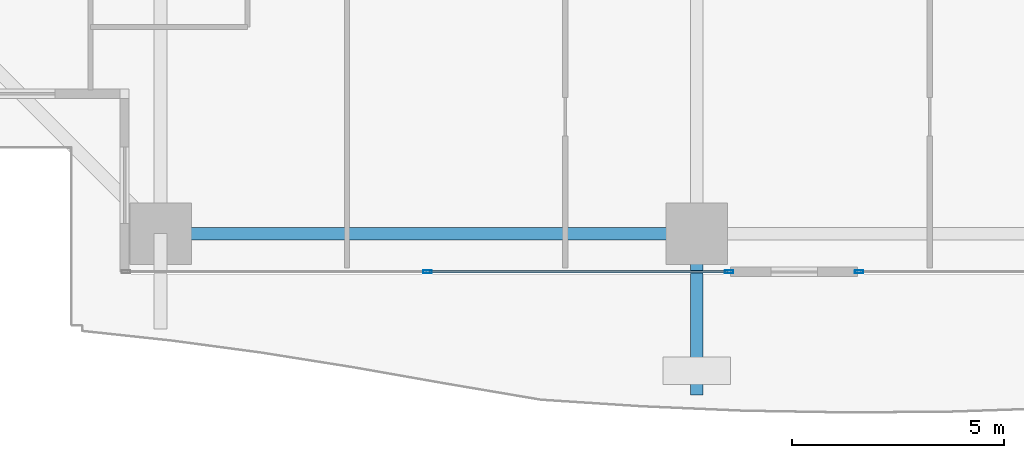
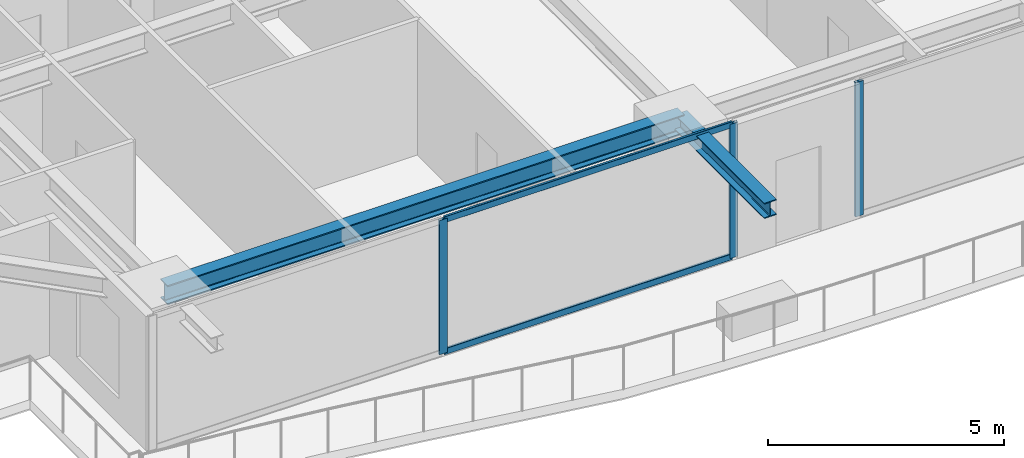
# One storey, part 5 of 40: 5 members, 2 beams, 2 elements without a shape of their own.
"""IFC4 building model written with IfcOpenShell, lengths in metres."""

from ifc_helpers import new_model, si_unit, direction, frame, origin, origin_2d, place, context, subcontext, project, spatial, hollow_rectangle, i_section, extrude, source, transform, mapped, material, layer, layer_set, material_profile, profile_set, type_object, element, aggregate, save


model = new_model("IFC4")

# Units and contexts
model_context = context("Model", 3, precision=1e-05, world=origin(), true_north=direction((0.0, 1.0)))
body_context = subcontext(model_context, "Body", "Model", "MODEL_VIEW")
ifc_project = project(units=[si_unit("LENGTHUNIT", "METRE"), si_unit("AREAUNIT", "SQUARE_METRE"), si_unit("VOLUMEUNIT", "CUBIC_METRE"), si_unit("PLANEANGLEUNIT", "RADIAN"), si_unit("MASSUNIT", "GRAM", prefix="KILO")], contexts=[model_context])

# Site, building, storey
site_placement = place(None, origin())
site = spatial("IfcSite", under=ifc_project, at=site_placement, CompositionType="ELEMENT")
building_placement = place(site_placement, origin())
building = spatial("IfcBuilding", under=site, at=building_placement, Name="Serunith Strait Residences", CompositionType="ELEMENT")
storey_placement = place(building_placement, frame((0.0, 0.0, 90.449951171875)))
storey = spatial("IfcBuildingStorey", under=building, at=storey_placement, Name="L22", CompositionType="ELEMENT", Elevation=90.449951171875)

# Beams
ifc_material_1 = material(Name="Steel S355J2", Category="steel")
ifc_material_profile_1 = material_profile(ifc_material_1, i_section(OverallWidth=0.300048828125, OverallDepth=0.5, WebThickness=0.014404296875, FlangeThickness=0.028076171875, FilletRadius=0.027099609375, at=origin_2d()), Name="HEB 500")
ifc_profile_set_1 = profile_set([ifc_material_profile_1], Name="Steel S355J2")
beam_type_1 = type_object("IfcBeamType", Name="BM-HEB500", PredefinedType="BEAM", material=ifc_profile_set_1)
shared_shape_1 = source(origin(), body_context, "Body", "SweptSolid", [
    extrude(i_section(OverallWidth=0.300048828125, OverallDepth=0.5, WebThickness=0.014404296875, FlangeThickness=0.028076171875, FilletRadius=0.027099609375, at=origin_2d()), origin(), (0.0, 0.0, 1.0), 12.64990234375),
])
beam_1_placement = place(storey_placement, frame((15.25, 1.10009765625, 3.237060546875), z_axis=(1.0, 0.0, 0.0), x_axis=(0.0, 1.0, 0.0)))
element("IfcBeam", 1, at=beam_1_placement, inside=storey, type_object=beam_type_1, Name="L22 Perimeter Ring Beam 01", PredefinedType="BEAM", context=body_context, shape_type="MappedRepresentation", body=[
    mapped(shared_shape_1, transform((0.0, 0.0, 0.0), scale=1.0)),
])
ifc_material_profile_2 = material_profile(ifc_material_1, i_section(OverallWidth=0.300048828125, OverallDepth=0.39990234375, WebThickness=0.013427734375, FlangeThickness=0.02392578125, FilletRadius=0.027099609375, at=origin_2d()), Name="HEB 400")
ifc_profile_set_2 = profile_set([ifc_material_profile_2], Name="Steel S355J2")
beam_type_2 = type_object("IfcBeamType", Name="BM-HEB400", PredefinedType="BEAM", material=ifc_profile_set_2)
shared_shape_2 = source(origin(), body_context, "Body", "SweptSolid", [
    extrude(i_section(OverallWidth=0.300048828125, OverallDepth=0.39990234375, WebThickness=0.013427734375, FlangeThickness=0.02392578125, FilletRadius=0.027099609375, at=origin_2d()), origin(), (0.0, 0.0, 1.0), 3.800048828125),
])
beam_2_placement = place(storey_placement, frame((27.89990234375, 1.10009765625, 3.257080078125), z_axis=(0.0, -1.0, 0.0), x_axis=(1.0, 0.0, 0.0)))
element("IfcBeam", 2, at=beam_2_placement, inside=storey, type_object=beam_type_2, Name="L23 Cantilevered Balcony Rib TC-S2", PredefinedType="BEAM", context=body_context, shape_type="MappedRepresentation", body=[
    mapped(shared_shape_2, transform((0.0, 0.0, 0.0), scale=1.0)),
])

# Curtain wall, members
ifc_material_2 = material(Name="Pale-Champagne Anodised Aluminium", Category="aluminium")
ifc_layer = layer(ifc_material_2, 0.199951171875, Name="Pale-Champagne Anodised Aluminium")
ifc_layer_set = layer_set([ifc_layer], Name="Pale-Champagne Anodised Aluminium")
curtain_wall_type = type_object("IfcCurtainWallType", Name="CW-SYS1", PredefinedType="NOTDEFINED", material=ifc_layer_set)
curtain_wall_1_placement = place(storey_placement, origin())
curtain_wall_1 = element("IfcCurtainWall", 3, at=curtain_wall_1_placement, inside=storey, type_object=curtain_wall_type, Name="L22 S Unitised Fritted Curtain Wall", PredefinedType="NOTDEFINED")
ifc_material_profile_3 = material_profile(ifc_material_2, hollow_rectangle(XDim=0.070068359375, YDim=0.199951171875, WallThickness=0.00390625, InnerFilletRadius=0.006103515625, OuterFilletRadius=0.010009765625, at=origin_2d()), Name="ALU 200x70x4")
ifc_profile_set_3 = profile_set([ifc_material_profile_3], Name="Pale-Champagne Anodised Aluminium")
member_type_1 = type_object("IfcMemberType", Name="CW-SYS1-MULL", PredefinedType="MULLION", material=ifc_profile_set_3)
shared_shape_3 = source(origin(), body_context, "Body", "SweptSolid", [
    extrude(hollow_rectangle(XDim=0.070068359375, YDim=0.199951171875, WallThickness=0.00390625, InnerFilletRadius=0.006103515625, OuterFilletRadius=0.010009765625, at=origin_2d()), origin(), (0.0, 0.0, 1.0), 3.47509765625),
])
member_1_placement = place(storey_placement, frame((21.550048828125, 0.199951171875, 0.0), z_axis=(0.0, 0.0, 1.0), x_axis=(0.0, 1.0, 0.0)))
member_1 = element("IfcMember", 4, at=member_1_placement, type_object=member_type_1, Name="CW-1 mullion 2", PredefinedType="MULLION", context=body_context, shape_type="MappedRepresentation", body=[
    mapped(shared_shape_3, transform((0.0, 0.0, 0.0), scale=1.0)),
])
member_2_placement = place(storey_placement, frame((28.6650390625, 0.199951171875, 0.0), z_axis=(0.0, 0.0, 1.0), x_axis=(0.0, 1.0, 0.0)))
member_2 = element("IfcMember", 5, at=member_2_placement, type_object=member_type_1, Name="CW-1 mullion 3", PredefinedType="MULLION", context=body_context, shape_type="MappedRepresentation", body=[
    mapped(shared_shape_3, transform((0.0, 0.0, 0.0), scale=1.0)),
])

# Curtain wall, member
curtain_wall_2_placement = place(storey_placement, origin())
curtain_wall_2 = element("IfcCurtainWall", 6, at=curtain_wall_2_placement, inside=storey, type_object=curtain_wall_type, Name="L22 S Unitised Fritted Curtain Wall", PredefinedType="NOTDEFINED")
member_3_placement = place(storey_placement, frame((31.735107421875, 0.199951171875, 0.0), z_axis=(0.0, 0.0, 1.0), x_axis=(0.0, 1.0, 0.0)))
member_3 = element("IfcMember", 7, at=member_3_placement, type_object=member_type_1, Name="CW-1 mullion 1", PredefinedType="MULLION", context=body_context, shape_type="MappedRepresentation", body=[
    mapped(shared_shape_3, transform((0.0, 0.0, 0.0), scale=1.0)),
])
aggregate(curtain_wall_2, [member_3])

# Member
ifc_material_profile_4 = material_profile(ifc_material_2, hollow_rectangle(XDim=0.06005859375, YDim=0.159912109375, WallThickness=0.00341796875, InnerFilletRadius=0.00537109375, OuterFilletRadius=0.0087890625, at=origin_2d()), Name="ALU 160x60x3.5")
ifc_profile_set_4 = profile_set([ifc_material_profile_4], Name="Pale-Champagne Anodised Aluminium")
member_type_2 = type_object("IfcMemberType", Name="CW-SYS1-TRAN", PredefinedType="USERDEFINED", material=ifc_profile_set_4)
shared_shape_4 = source(origin(), body_context, "Body", "SweptSolid", [
    extrude(hollow_rectangle(XDim=0.06005859375, YDim=0.159912109375, WallThickness=0.00341796875, InnerFilletRadius=0.00537109375, OuterFilletRadius=0.0087890625, at=origin_2d()), origin(), (0.0, 0.0, 1.0), 7.044921875),
])
member_4_placement = place(storey_placement, frame((21.5849609375, 0.199951171875, 0.030029296875), z_axis=(1.0, 0.0, 0.0), x_axis=(0.0, 1.0, 0.0)))
member_4 = element("IfcMember", 8, at=member_4_placement, type_object=member_type_2, Name="CW-1 transom 2.1", ObjectType="TRANSOM", PredefinedType="USERDEFINED", context=body_context, shape_type="MappedRepresentation", body=[
    mapped(shared_shape_4, transform((0.0, 0.0, 0.0), scale=1.0)),
])

member_5_placement = place(storey_placement, frame((21.5849609375, 0.199951171875, 3.445068359375), z_axis=(1.0, 0.0, 0.0), x_axis=(0.0, 1.0, 0.0)))
member_5 = element("IfcMember", 9, at=member_5_placement, type_object=member_type_2, Name="CW-1 transom 2.2", ObjectType="TRANSOM", PredefinedType="USERDEFINED", context=body_context, shape_type="MappedRepresentation", body=[
    mapped(shared_shape_4, transform((0.0, 0.0, 0.0), scale=1.0)),
])

aggregate(curtain_wall_1, [member_1, member_2, member_4, member_5])

save(model, "model.ifc")
